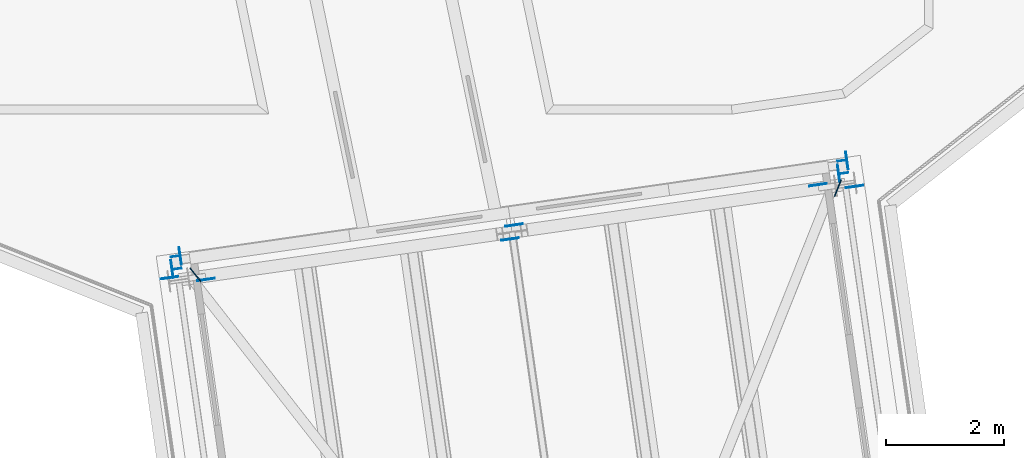
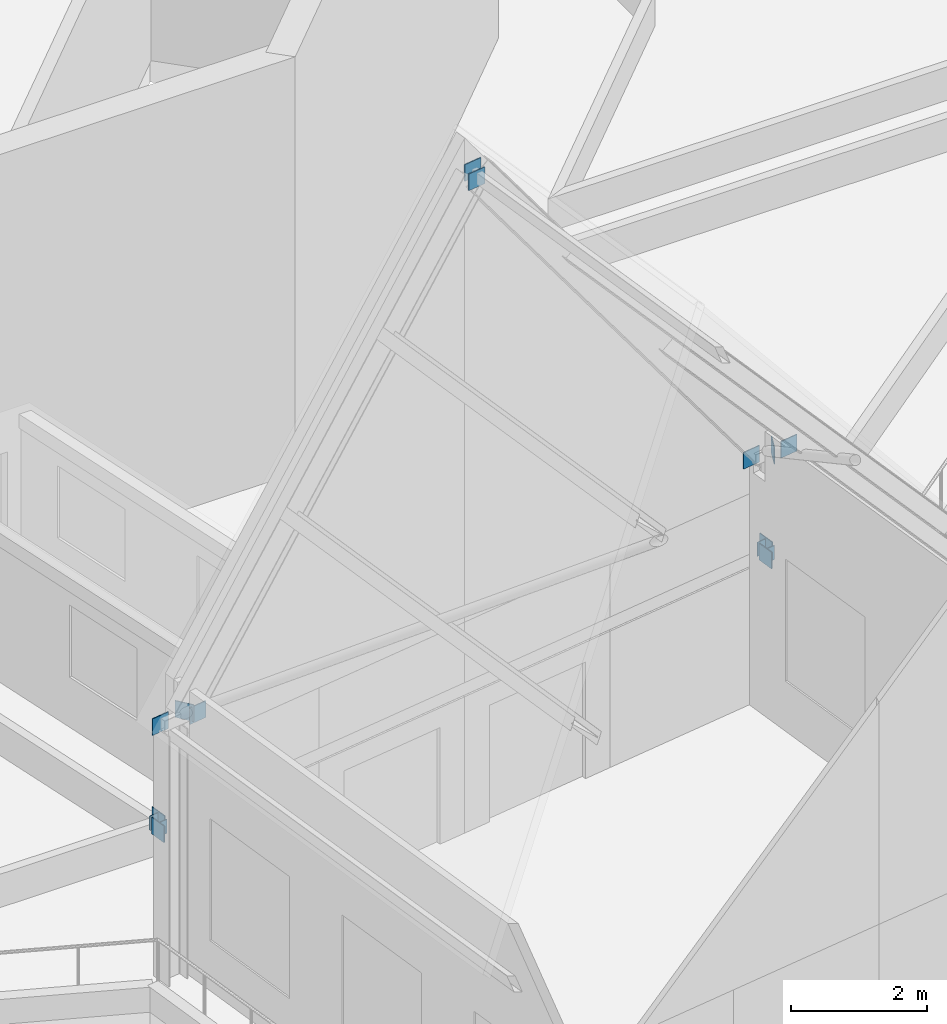
# One storey, part 19 of 32: 16 discrete accessories.
"""IFC4 building model written with IfcOpenShell, lengths in metres."""

from ifc_helpers import new_model, si_unit, direction, frame, origin, origin_2d, place, context, subcontext, project, spatial, rectangle, extrude, element, save


model = new_model("IFC4")

# Units and contexts
model_context = context("Model", 3, precision=1e-05, world=origin(), true_north=direction((0.0, 1.0)))
body_context = subcontext(model_context, "Body", "Model", "MODEL_VIEW")
ifc_project = project(units=[si_unit("LENGTHUNIT", "METRE"), si_unit("AREAUNIT", "SQUARE_METRE"), si_unit("VOLUMEUNIT", "CUBIC_METRE"), si_unit("PLANEANGLEUNIT", "RADIAN"), si_unit("MASSUNIT", "GRAM", prefix="KILO")], contexts=[model_context])

# Site, building, storey
site_placement = place(None, origin())
site = spatial("IfcSite", under=ifc_project, at=site_placement, CompositionType="ELEMENT")
building_placement = place(site_placement, origin())
building = spatial("IfcBuilding", under=site, at=building_placement, Name="Verdalira Terraces Hotel", CompositionType="ELEMENT")
storey_placement = place(building_placement, frame((0.0, 0.0, 315.0)))
storey = spatial("IfcBuildingStorey", under=building, at=storey_placement, Name="L78", CompositionType="ELEMENT", Elevation=315.0)

# Discrete accessories
discrete_accessory_placement = place(storey_placement, frame((8.953613, -22.283691, 2.583008), z_axis=(0.124034735, -0.992277877, 0.0), x_axis=(0.992277877, 0.124034735, 0.0)))
element("IfcDiscreteAccessory", 1, at=discrete_accessory_placement, inside=storey, Name="End cap plate", PredefinedType="ANCHORPLATE", context=body_context, shape_type="SweptSolid", body=[
    extrude(rectangle(XDim=0.152344, YDim=0.253906, at=origin_2d()), origin(), (0.0, 0.0, 1.0), 0.011719),
])
for number, where, z_axis, x_axis, name in (
    (2, (8.983887, -22.495605, 2.583008), (0.141421356, -0.989949494, 0.0), (0.989949494, 0.141421356, 0.0), "End cap plate"),
    (3, (-2.331055, -23.901611, 2.583008), (0.141421356, -0.989949494, 0.0), (0.989949494, 0.141421356, 0.0), "End cap plate"),
    (4, (-2.300537, -24.11377, 2.583008), (0.144306893, -0.989532981, 0.0), (0.989532981, 0.144306893, 0.0), "End cap plate"),
):
    element("IfcDiscreteAccessory", number, at=place(storey_placement, frame(where, z_axis=z_axis, x_axis=x_axis)), inside=storey, Name=name, PredefinedType="ANCHORPLATE", context=body_context, shape_type="SweptSolid", body=[
        extrude(rectangle(XDim=0.152344, YDim=0.253906, at=origin_2d()), origin(), (0.0, 0.0, 1.0), 0.011963),
    ])
for number, where, z_axis, x_axis, name in (
    (5, (-2.429688, -24.270996, 4.45166), (0.0, 0.0, 1.0), (0.989875563, 0.141937905, 0.0), "Connection plate"),
    (6, (-2.384033, -24.125732, 2.433105), (0.0, 0.0, 1.0), (-0.141937905, 0.989875563, 0.0), "Connection plate"),
    (7, (-2.246094, -23.901611, 2.433105), (0.0, 0.0, 1.0), (0.141937905, -0.989875563, 0.0), "Connection plate"),
    (8, (-1.987793, -24.220703, 4.493652), (0.0, 0.0, 1.0), (0.616142729, -0.78763452, 0.0), "Connection plate"),
    (9, (-1.810059, -24.301025, 4.45166), (0.0, 0.0, 1.0), (-0.989875563, -0.141937905, 0.0), "Connection plate"),
    (10, (3.335205, -23.617676, 11.850098), (0.0, 0.0, 1.0), (-0.989875563, -0.141937905, 0.0), "Connection plate"),
    (11, (3.403809, -23.380127, 11.850098), (0.0, 0.0, 1.0), (0.989875563, 0.141937905, 0.0), "Connection plate"),
    (12, (8.549072, -22.696777, 4.45166), (0.0, 0.0, 1.0), (0.989875563, 0.141937905, 0.0), "Connection plate"),
    (13, (8.88501, -22.754395, 4.493652), (0.0, 0.0, 1.0), (-0.369989991, -0.92903574, 0.0), "Connection plate"),
    (14, (8.900635, -22.507568, 2.433105), (0.0, 0.0, 1.0), (-0.141937905, 0.989875563, 0.0), "Connection plate"),
    (15, (9.038574, -22.283691, 2.433105), (0.0, 0.0, 1.0), (0.141937905, -0.989875563, 0.0), "Connection plate"),
    (16, (9.168701, -22.726807, 4.45166), (0.0, 0.0, 1.0), (-0.989875563, -0.141937905, 0.0), "Connection plate"),
):
    element("IfcDiscreteAccessory", number, at=place(storey_placement, frame(where, z_axis=z_axis, x_axis=x_axis)), inside=storey, Name=name, PredefinedType="BRACKET", context=body_context, shape_type="SweptSolid", body=[
        extrude(rectangle(XDim=0.300049, YDim=0.016113, at=origin_2d()), origin(), (0.0, 0.0, 1.0), 0.300049),
    ])

save(model, "model.ifc")
